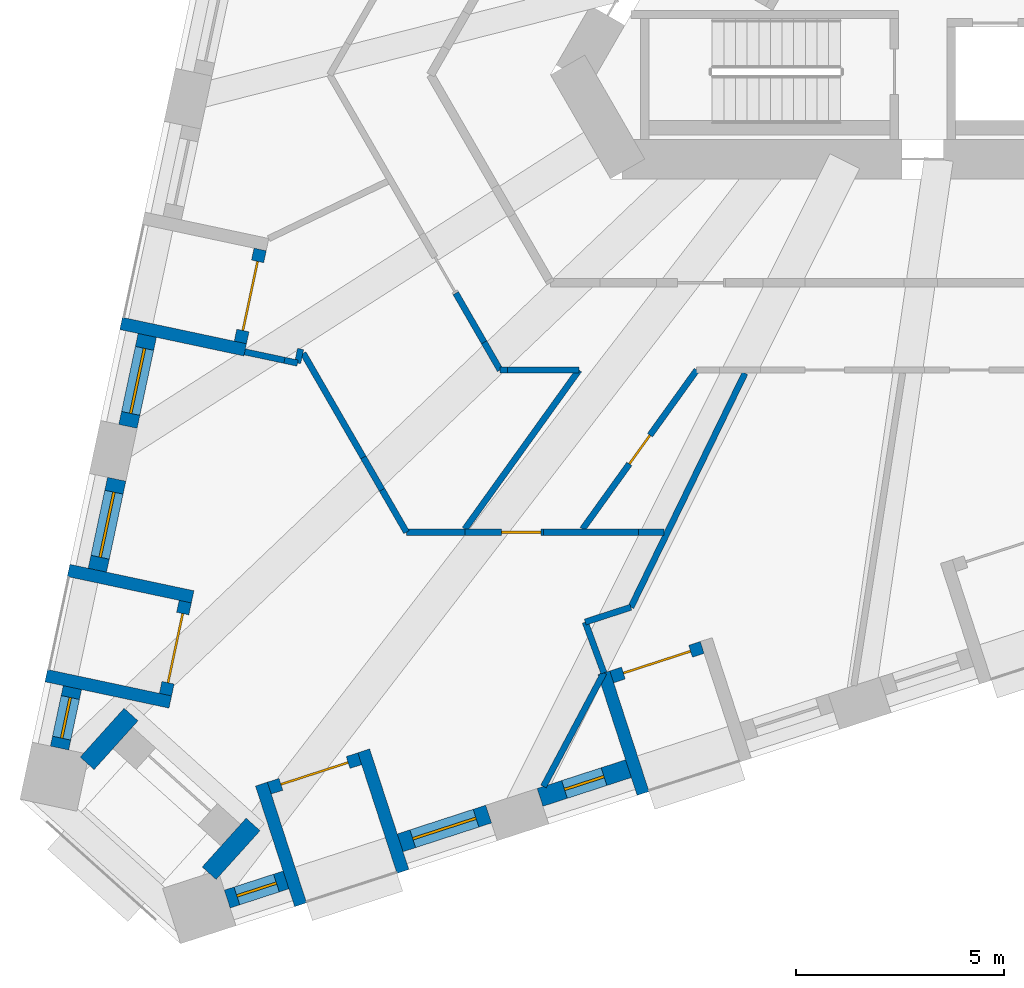
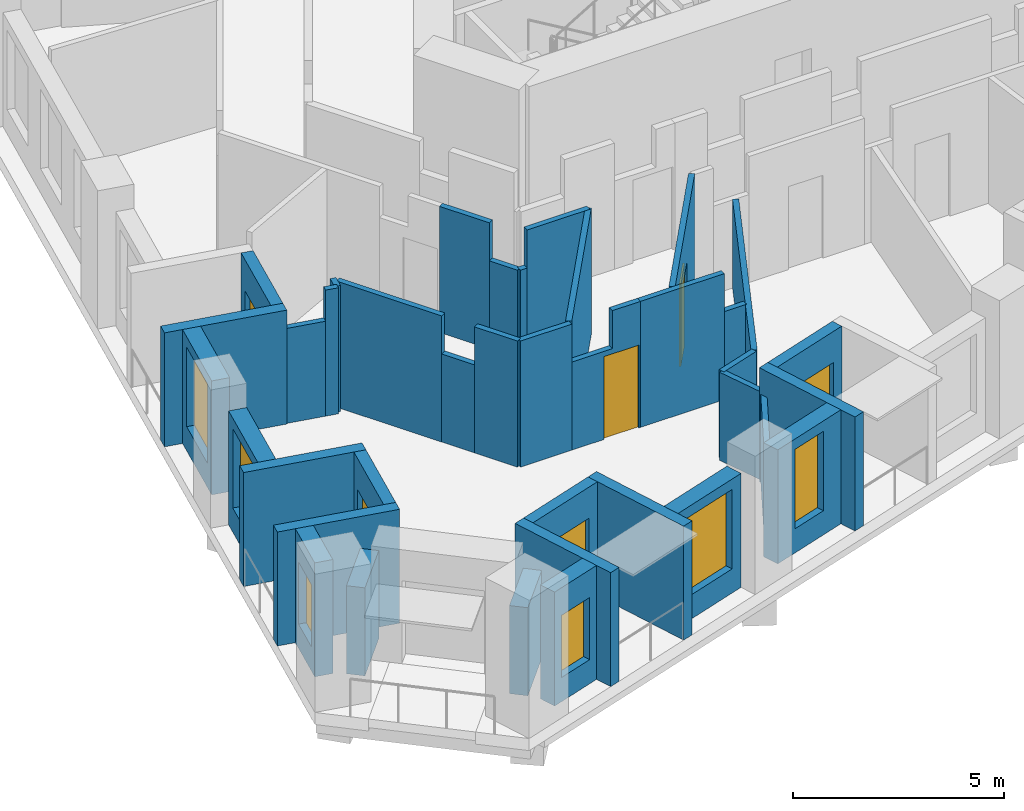
# One storey, part 2 of 13: 38 walls, 6 doors, 6 windows, 12 openings.
"""IFC4 building model written with IfcOpenShell, lengths in metres."""

from ifc_helpers import new_model, si_unit, direction, frame, frame_2d, origin, place, context, subcontext, project, spatial, polyline, rectangle, outline, extrude, material, layer, layer_set, type_object, element, fill, save


model = new_model("IFC4")

# Units and contexts
model_context = context("Model", 3, precision=1e-05, world=origin(), true_north=direction((0.0, 1.0)))
body_context = subcontext(model_context, "Body", "Model", "MODEL_VIEW")
ifc_project = project(units=[si_unit("LENGTHUNIT", "METRE"), si_unit("AREAUNIT", "SQUARE_METRE"), si_unit("VOLUMEUNIT", "CUBIC_METRE"), si_unit("PLANEANGLEUNIT", "RADIAN"), si_unit("MASSUNIT", "GRAM", prefix="KILO")], contexts=[model_context])

# Site, building, storey
site_placement = place(None, origin())
site = spatial("IfcSite", under=ifc_project, at=site_placement, CompositionType="ELEMENT")
building_placement = place(site_placement, origin())
building = spatial("IfcBuilding", under=site, at=building_placement, Name="Tramontana Tower", CompositionType="ELEMENT")
storey_placement = place(building_placement, frame((0.0, 0.0, 116.39990234375)))
storey = spatial("IfcBuildingStorey", under=building, at=storey_placement, Name="L26", CompositionType="ELEMENT", Elevation=116.39990234375)

# Wall, opening, window
ifc_material_1 = material(Name="Precast concrete 60 MPa", Category="concrete")
ifc_layer_1 = layer(ifc_material_1, 0.449951171875)
ifc_layer_set_1 = layer_set([ifc_layer_1], Name="Precast concrete 60 MPa, 450 mm")
wall_type_1 = type_object("IfcWallType", Name="EW1 Stone-faced precast wall 450", PredefinedType="SOLIDWALL", material=ifc_layer_set_1)
wall_1_placement = place(storey_placement, frame((-19.947265625, -10.516357421875, 0.0), z_axis=(0.0, 0.0, 1.0), x_axis=(-0.207941001029, -0.978141370197, 0.0)))
wall_1 = element("IfcWall", 1, at=wall_1_placement, inside=storey, type_object=wall_type_1, Name="External wall L26 face 0 bay 5", PredefinedType="SOLIDWALL", context=body_context, shape_type="SweptSolid", body=[
    extrude(rectangle(XDim=2.236572265625, YDim=0.449951171875, at=frame_2d((1.1181640625, 0.0))), origin(), (0.0, 0.0, 1.0), 3.300048828125),
])
opening_1_placement = place(wall_1_placement, frame((0.318359375, 0.0, 0.699951171875)))
opening_1 = element("IfcOpeningElement", 2, at=opening_1_placement, cuts=wall_1, Name="Opening M1", PredefinedType="OPENING", context=body_context, shape_type="SweptSolid", body=[
    extrude(rectangle(XDim=1.60009765625, YDim=2.300048828125, at=frame_2d((0.800048828125, 1.14990234375))), frame((0.0, 0.23486328125, 0.0), z_axis=(0.0, -1.0, 0.0), x_axis=(1.0, 0.0, 0.0)), (0.0, 0.0, 1.0), 0.469970703125),
])
ifc_material_2 = material(Name="Aluminum frame, double glazing unit", Category="aluminium")
window_type_1 = type_object("IfcWindowType", Name="M1 Window 1.6 x 2.3", PartitioningType="SINGLE_PANEL", PredefinedType="WINDOW", material=ifc_material_2)
window_1_placement = place(opening_1_placement, origin())
window_1 = element("IfcWindow", 3, at=window_1_placement, inside=storey, type_object=window_type_1, Name="Window M1 L26 face 0 module 15", OverallHeight=2.300048828125, OverallWidth=1.60009765625, PartitioningType="SINGLE_PANEL", PredefinedType="WINDOW", context=body_context, shape_type="SweptSolid", body=[
    extrude(rectangle(XDim=1.60009765625, YDim=2.300048828125, at=frame_2d((0.800048828125, 1.14990234375))), frame((0.0, 0.030029296875, 0.0), z_axis=(0.0, -1.0, 0.0), x_axis=(1.0, 0.0, 0.0)), (0.0, 0.0, 1.0), 0.06005859375),
])
fill(opening_1, window_1)

wall_2_placement = place(storey_placement, frame((-20.6826171875, -13.975830078125, 0.0), z_axis=(0.0, 0.0, 1.0), x_axis=(-0.207941001029, -0.978141370197, 0.0)))
wall_2 = element("IfcWall", 4, at=wall_2_placement, inside=storey, type_object=wall_type_1, Name="External wall L26 face 0 bay 6", PredefinedType="SOLIDWALL", context=body_context, shape_type="SweptSolid", body=[
    extrude(rectangle(XDim=2.236572265625, YDim=0.449951171875, at=frame_2d((1.1181640625, 0.0))), origin(), (0.0, 0.0, 1.0), 3.300048828125),
])
opening_2_placement = place(wall_2_placement, frame((0.318359375, 0.0, 0.699951171875)))
opening_2 = element("IfcOpeningElement", 5, at=opening_2_placement, cuts=wall_2, Name="Opening M1", PredefinedType="OPENING", context=body_context, shape_type="SweptSolid", body=[
    extrude(rectangle(XDim=1.60009765625, YDim=2.300048828125, at=frame_2d((0.800048828125, 1.14990234375))), frame((0.0, 0.23486328125, 0.0), z_axis=(0.0, -1.0, 0.0), x_axis=(1.0, 0.0, 0.0)), (0.0, 0.0, 1.0), 0.469970703125),
])
window_2_placement = place(opening_2_placement, origin())
window_2 = element("IfcWindow", 6, at=window_2_placement, inside=storey, type_object=window_type_1, Name="Window M1 L26 face 0 module 16", OverallHeight=2.300048828125, OverallWidth=1.60009765625, PartitioningType="SINGLE_PANEL", PredefinedType="WINDOW", context=body_context, shape_type="SweptSolid", body=[
    extrude(rectangle(XDim=1.60009765625, YDim=2.300048828125, at=frame_2d((0.800048828125, 1.14990234375))), frame((0.0, 0.030029296875, 0.0), z_axis=(0.0, -1.0, 0.0), x_axis=(1.0, 0.0, 0.0)), (0.0, 0.0, 1.0), 0.06005859375),
])
fill(opening_2, window_2)

wall_3_placement = place(storey_placement, frame((-21.747802734375, -18.9873046875, 0.0), z_axis=(0.0, 0.0, 1.0), x_axis=(-0.208037456693, -0.978120859921, 0.0)))
wall_3 = element("IfcWall", 7, at=wall_3_placement, inside=storey, type_object=wall_type_1, Name="External wall L26 face 0 bay 6", PredefinedType="SOLIDWALL", context=body_context, shape_type="SweptSolid", body=[
    extrude(rectangle(XDim=1.48681640625, YDim=0.449951171875, at=frame_2d((0.743408203125, 0.0))), origin(), (0.0, 0.0, 1.0), 3.300048828125),
])
opening_3_placement = place(wall_3_placement, frame((0.243408203125, 0.0, 0.699951171875)))
opening_3 = element("IfcOpeningElement", 8, at=opening_3_placement, cuts=wall_3, Name="Opening N1L", PredefinedType="OPENING", context=body_context, shape_type="SweptSolid", body=[
    extrude(rectangle(XDim=1.0, YDim=1.800048828125, at=frame_2d((0.5, 0.89990234375))), frame((0.0, 0.23486328125, 0.0), z_axis=(0.0, -1.0, 0.0), x_axis=(1.0, 0.0, 0.0)), (0.0, 0.0, 1.0), 0.469970703125),
])
ifc_material_3 = material(Name="Aluminum frame, double glazing unit", Category="aluminium")
window_type_2 = type_object("IfcWindowType", Name="N1L Window 1 x 1.8", PartitioningType="SINGLE_PANEL", PredefinedType="WINDOW", material=ifc_material_3)
window_3_placement = place(opening_3_placement, origin())
window_3 = element("IfcWindow", 9, at=window_3_placement, inside=storey, type_object=window_type_2, Name="Window N1L L26 face 0 module 18", OverallHeight=1.800048828125, OverallWidth=1.0, PartitioningType="SINGLE_PANEL", PredefinedType="WINDOW", context=body_context, shape_type="SweptSolid", body=[
    extrude(rectangle(XDim=1.0, YDim=1.800048828125, at=frame_2d((0.5, 0.89990234375))), frame((0.0, 0.030029296875, 0.0), z_axis=(0.0, -1.0, 0.0), x_axis=(1.0, 0.0, 0.0)), (0.0, 0.0, 1.0), 0.06005859375),
])
fill(opening_3, window_3)

wall_4_placement = place(storey_placement, frame((-18.02392578125, -24.072998046875, 0.0), z_axis=(0.0, 0.0, 1.0), x_axis=(0.951037689269, 0.309074931999, 0.0)))
wall_4 = element("IfcWall", 10, at=wall_4_placement, inside=storey, type_object=wall_type_1, Name="External wall L26 face 1 bay 1", PredefinedType="SOLIDWALL", context=body_context, shape_type="SweptSolid", body=[
    extrude(rectangle(XDim=1.486572265625, YDim=0.449951171875, at=frame_2d((0.7431640625, 0.0))), origin(), (0.0, 0.0, 1.0), 3.300048828125),
])
opening_4_placement = place(wall_4_placement, frame((0.243408203125, 0.0, 0.699951171875)))
opening_4 = element("IfcOpeningElement", 11, at=opening_4_placement, cuts=wall_4, Name="Opening N1L", PredefinedType="OPENING", context=body_context, shape_type="SweptSolid", body=[
    extrude(rectangle(XDim=1.0, YDim=1.800048828125, at=frame_2d((0.5, 0.89990234375))), frame((0.0, 0.23486328125, 0.0), z_axis=(0.0, -1.0, 0.0), x_axis=(1.0, 0.0, 0.0)), (0.0, 0.0, 1.0), 0.469970703125),
])
window_4_placement = place(opening_4_placement, origin())
window_4 = element("IfcWindow", 12, at=window_4_placement, inside=storey, type_object=window_type_2, Name="Window N1L L26 face 1 module 1", OverallHeight=1.800048828125, OverallWidth=1.0, PartitioningType="SINGLE_PANEL", PredefinedType="WINDOW", context=body_context, shape_type="SweptSolid", body=[
    extrude(rectangle(XDim=1.0, YDim=1.800048828125, at=frame_2d((0.5, 0.89990234375))), frame((0.0, 0.030029296875, 0.0), z_axis=(0.0, -1.0, 0.0), x_axis=(1.0, 0.0, 0.0)), (0.0, 0.0, 1.0), 0.06005859375),
])
fill(opening_4, window_4)

wall_5_placement = place(storey_placement, frame((-13.864501953125, -22.721435546875, 0.0), z_axis=(0.0, 0.0, 1.0), x_axis=(0.951057328329, 0.30901449518, 0.0)))
wall_5 = element("IfcWall", 13, at=wall_5_placement, inside=storey, type_object=wall_type_1, Name="External wall L26 face 1 bay 1", PredefinedType="SOLIDWALL", context=body_context, shape_type="SweptSolid", body=[
    extrude(rectangle(XDim=2.236572265625, YDim=0.449951171875, at=frame_2d((1.1181640625, 0.0))), origin(), (0.0, 0.0, 1.0), 3.300048828125),
])
opening_5_placement = place(wall_5_placement, frame((0.318359375, 0.0, 0.699951171875)))
opening_5 = element("IfcOpeningElement", 14, at=opening_5_placement, cuts=wall_5, Name="Opening M1", PredefinedType="OPENING", context=body_context, shape_type="SweptSolid", body=[
    extrude(rectangle(XDim=1.60009765625, YDim=2.300048828125, at=frame_2d((0.800048828125, 1.14990234375))), frame((0.0, 0.23486328125, 0.0), z_axis=(0.0, -1.0, 0.0), x_axis=(1.0, 0.0, 0.0)), (0.0, 0.0, 1.0), 0.469970703125),
])
window_5_placement = place(opening_5_placement, origin())
window_5 = element("IfcWindow", 15, at=window_5_placement, inside=storey, type_object=window_type_1, Name="Window M1 L26 face 1 module 3", OverallHeight=2.300048828125, OverallWidth=1.60009765625, PartitioningType="SINGLE_PANEL", PredefinedType="WINDOW", context=body_context, shape_type="SweptSolid", body=[
    extrude(rectangle(XDim=1.60009765625, YDim=2.300048828125, at=frame_2d((0.800048828125, 1.14990234375))), frame((0.0, 0.030029296875, 0.0), z_axis=(0.0, -1.0, 0.0), x_axis=(1.0, 0.0, 0.0)), (0.0, 0.0, 1.0), 0.06005859375),
])
fill(opening_5, window_5)

wall_6_placement = place(storey_placement, frame((-10.5009765625, -21.62841796875, 0.0), z_axis=(0.0, 0.0, 1.0), x_axis=(0.951067749801, 0.30898241906, 0.0)))
wall_6 = element("IfcWall", 16, at=wall_6_placement, inside=storey, type_object=wall_type_1, Name="External wall L26 face 1 bay 2", PredefinedType="SOLIDWALL", context=body_context, shape_type="SweptSolid", body=[
    extrude(rectangle(XDim=2.23681640625, YDim=0.449951171875, at=frame_2d((1.118408203125, 0.0))), origin(), (0.0, 0.0, 1.0), 3.300048828125),
])
opening_6_placement = place(wall_6_placement, frame((0.618408203125, 0.0, 0.699951171875)))
opening_6 = element("IfcOpeningElement", 17, at=opening_6_placement, cuts=wall_6, Name="Opening N1", PredefinedType="OPENING", context=body_context, shape_type="SweptSolid", body=[
    extrude(rectangle(XDim=1.0, YDim=2.300048828125, at=frame_2d((0.5, 1.14990234375))), frame((0.0, 0.23486328125, 0.0), z_axis=(0.0, -1.0, 0.0), x_axis=(1.0, 0.0, 0.0)), (0.0, 0.0, 1.0), 0.469970703125),
])
ifc_material_4 = material(Name="Aluminum frame, double glazing unit", Category="aluminium")
window_type_3 = type_object("IfcWindowType", Name="N1 Window 1 x 2.3", PartitioningType="SINGLE_PANEL", PredefinedType="WINDOW", material=ifc_material_4)
window_6_placement = place(opening_6_placement, origin())
window_6 = element("IfcWindow", 18, at=window_6_placement, inside=storey, type_object=window_type_3, Name="Window N1 L26 face 1 module 4", OverallHeight=2.300048828125, OverallWidth=1.0, PartitioningType="SINGLE_PANEL", PredefinedType="WINDOW", context=body_context, shape_type="SweptSolid", body=[
    extrude(rectangle(XDim=1.0, YDim=2.300048828125, at=frame_2d((0.5, 1.14990234375))), frame((0.0, 0.030029296875, 0.0), z_axis=(0.0, -1.0, 0.0), x_axis=(1.0, 0.0, 0.0)), (0.0, 0.0, 1.0), 0.06005859375),
])
fill(opening_6, window_6)

# Walls
for number, where, z_axis, x_axis, name in (
    (19, (-18.45849609375, -23.451904296875, 0.0), (0.0, 0.0, 1.0), (0.669109923521, 0.743163447867, 0.0), "Corner loggia side wall L26 K21l"),
    (20, (-21.393798828125, -20.808837890625, 0.0), (0.0, 0.0, 1.0), (0.669109923521, 0.743163447867, 0.0), "Corner loggia side wall L26 K21r"),
):
    element("IfcWall", number, at=place(storey_placement, frame(where, z_axis=z_axis, x_axis=x_axis)), inside=storey, type_object=wall_type_1, Name=name, PredefinedType="SOLIDWALL", context=body_context, shape_type="SweptSolid", body=[
        extrude(rectangle(XDim=1.5791015625, YDim=0.449951171875, at=frame_2d((0.78955078125, 0.0))), origin(), (0.0, 0.0, 1.0), 2.550048828125),
    ])

# Wall, opening, door
ifc_material_5 = material(Name="Precast concrete 60 MPa", Category="concrete")
ifc_layer_2 = layer(ifc_material_5, 0.300048828125)
ifc_layer_set_2 = layer_set([ifc_layer_2], Name="LW1 Stone-faced loggia wall 300")
wall_type_2 = type_object("IfcWallType", Name="LW1 Stone-faced loggia wall 300", PredefinedType="SOLIDWALL", material=ifc_layer_set_2)
wall_7_placement = place(storey_placement, frame((-17.233154296875, -8.44873046875, 0.0), z_axis=(0.0, 0.0, 1.0), x_axis=(-0.207866417042, -0.978157222877, 0.0)))
wall_7 = element("IfcWall", 21, at=wall_7_placement, inside=storey, type_object=wall_type_2, Name="Loggia wall L26 G2S0.13", PredefinedType="SOLIDWALL", context=body_context, shape_type="SweptSolid", body=[
    extrude(rectangle(XDim=2.286865234375, YDim=0.300048828125, at=frame_2d((1.1435546875, 0.0))), origin(), (0.0, 0.0, 1.0), 3.300048828125),
])
opening_7_placement = place(wall_7_placement, frame((0.29345703125, 0.0, 0.0)))
opening_7 = element("IfcOpeningElement", 22, at=opening_7_placement, cuts=wall_7, Name="Opening BD-2S0-13", PredefinedType="OPENING", context=body_context, shape_type="SweptSolid", body=[
    extrude(rectangle(XDim=1.699951171875, YDim=2.39990234375, at=frame_2d((0.85009765625, 1.199951171875))), frame((0.0, 0.159912109375, 0.0), z_axis=(0.0, -1.0, 0.0), x_axis=(1.0, 0.0, 0.0)), (0.0, 0.0, 1.0), 0.320068359375),
])
ifc_material_6 = material(Name="Aluminum frame, double glazing unit", Category="aluminium")
door_type_1 = type_object("IfcDoorType", Name="BD1 Sliding door 1.7 x 2.4", OperationType="SLIDING_TO_LEFT", PredefinedType="DOOR", material=ifc_material_6)
door_1_placement = place(opening_7_placement, origin())
door_1 = element("IfcDoor", 23, at=door_1_placement, inside=storey, type_object=door_type_1, Name="Loggia door L26 G2S0.13", OperationType="SLIDING_TO_LEFT", OverallHeight=2.39990234375, OverallWidth=1.699951171875, PredefinedType="DOOR", context=body_context, shape_type="SweptSolid", body=[
    extrude(rectangle(XDim=1.699951171875, YDim=2.39990234375, at=frame_2d((0.85009765625, 1.199951171875))), frame((0.0, 0.02490234375, 0.0), z_axis=(0.0, -1.0, 0.0), x_axis=(1.0, 0.0, 0.0)), (0.0, 0.0, 1.0), 0.050048828125),
])
fill(opening_7, door_1)

# Wall
wall_8_placement = place(storey_placement, frame((-20.576416015625, -10.229248046875, 0.0), z_axis=(0.0, 0.0, 1.0), x_axis=(0.978154782045, -0.207877902534, 0.0)))
element("IfcWall", 24, at=wall_8_placement, inside=storey, type_object=wall_type_2, Name="Loggia return L26 G2S0.13b", PredefinedType="SOLIDWALL", context=body_context, shape_type="SweptSolid", body=[
    extrude(rectangle(XDim=3.050048828125, YDim=0.300048828125, at=frame_2d((1.52490234375, 0.0))), origin(), (0.0, 0.0, 1.0), 3.300048828125),
])

# Wall, opening, door
wall_9_placement = place(storey_placement, frame((-19.03369140625, -16.919677734375, 0.0), z_axis=(0.0, 0.0, 1.0), x_axis=(-0.207968563016, -0.978135510447, 0.0)))
wall_9 = element("IfcWall", 25, at=wall_9_placement, inside=storey, type_object=wall_type_2, Name="Loggia wall L26 G2S0.16", PredefinedType="SOLIDWALL", context=body_context, shape_type="SweptSolid", body=[
    extrude(rectangle(XDim=2.286865234375, YDim=0.300048828125, at=frame_2d((1.1435546875, 0.0))), origin(), (0.0, 0.0, 1.0), 3.300048828125),
])
opening_8_placement = place(wall_9_placement, frame((0.29345703125, 0.0, 0.0)))
opening_8 = element("IfcOpeningElement", 26, at=opening_8_placement, cuts=wall_9, Name="Opening BD-2S0-16", PredefinedType="OPENING", context=body_context, shape_type="SweptSolid", body=[
    extrude(rectangle(XDim=1.699951171875, YDim=2.39990234375, at=frame_2d((0.85009765625, 1.199951171875))), frame((0.0, 0.159912109375, 0.0), z_axis=(0.0, -1.0, 0.0), x_axis=(1.0, 0.0, 0.0)), (0.0, 0.0, 1.0), 0.320068359375),
])
door_2_placement = place(opening_8_placement, origin())
door_2 = element("IfcDoor", 27, at=door_2_placement, inside=storey, type_object=door_type_1, Name="Loggia door L26 G2S0.16", OperationType="SLIDING_TO_LEFT", OverallHeight=2.39990234375, OverallWidth=1.699951171875, PredefinedType="DOOR", context=body_context, shape_type="SweptSolid", body=[
    extrude(rectangle(XDim=1.699951171875, YDim=2.39990234375, at=frame_2d((0.85009765625, 1.199951171875))), frame((0.0, 0.02490234375, 0.0), z_axis=(0.0, -1.0, 0.0), x_axis=(1.0, 0.0, 0.0)), (0.0, 0.0, 1.0), 0.050048828125),
])
fill(opening_8, door_2)

# Walls
for number, where, z_axis, x_axis, name in (
    (28, (-21.839111328125, -16.169921875, 0.0), (0.0, 0.0, 1.0), (0.978138503145, -0.207954487003, 0.0), "Loggia return L26 G2S0.16a"),
    (29, (-22.376953125, -18.7001953125, 0.0), (0.0, 0.0, 1.0), (0.978154782045, -0.207877902534, 0.0), "Loggia return L26 G2S0.16b"),
):
    element("IfcWall", number, at=place(storey_placement, frame(where, z_axis=z_axis, x_axis=x_axis)), inside=storey, type_object=wall_type_2, Name=name, PredefinedType="SOLIDWALL", context=body_context, shape_type="SweptSolid", body=[
        extrude(rectangle(XDim=3.050048828125, YDim=0.300048828125, at=frame_2d((1.52490234375, 0.0))), origin(), (0.0, 0.0, 1.0), 3.300048828125),
    ])

# Wall, opening, door
wall_10_placement = place(storey_placement, frame((-17.01220703125, -21.40478515625, 0.0), z_axis=(0.0, 0.0, 1.0), x_axis=(0.95103720697, 0.309076416051, 0.0)))
wall_10 = element("IfcWall", 30, at=wall_10_placement, inside=storey, type_object=wall_type_2, Name="Loggia wall L26 G2S1.1", PredefinedType="SOLIDWALL", context=body_context, shape_type="SweptSolid", body=[
    extrude(rectangle(XDim=2.286865234375, YDim=0.300048828125, at=frame_2d((1.1435546875, 0.0))), origin(), (0.0, 0.0, 1.0), 3.300048828125),
])
opening_9_placement = place(wall_10_placement, frame((0.29345703125, 0.0, 0.0)))
opening_9 = element("IfcOpeningElement", 31, at=opening_9_placement, cuts=wall_10, Name="Opening BD-2S1-01", PredefinedType="OPENING", context=body_context, shape_type="SweptSolid", body=[
    extrude(rectangle(XDim=1.699951171875, YDim=2.39990234375, at=frame_2d((0.85009765625, 1.199951171875))), frame((0.0, 0.159912109375, 0.0), z_axis=(0.0, -1.0, 0.0), x_axis=(1.0, 0.0, 0.0)), (0.0, 0.0, 1.0), 0.320068359375),
])
door_3_placement = place(opening_9_placement, origin())
door_3 = element("IfcDoor", 32, at=door_3_placement, inside=storey, type_object=door_type_1, Name="Loggia door L26 G2S1.1", OperationType="SLIDING_TO_LEFT", OverallHeight=2.39990234375, OverallWidth=1.699951171875, PredefinedType="DOOR", context=body_context, shape_type="SweptSolid", body=[
    extrude(rectangle(XDim=1.699951171875, YDim=2.39990234375, at=frame_2d((0.85009765625, 1.199951171875))), frame((0.0, 0.02490234375, 0.0), z_axis=(0.0, -1.0, 0.0), x_axis=(1.0, 0.0, 0.0)), (0.0, 0.0, 1.0), 0.050048828125),
])
fill(opening_9, door_3)

# Walls
for number, where, z_axis, x_axis, name in (
    (33, (-16.2587890625, -24.209228515625, 0.0), (0.0, 0.0, 1.0), (-0.308966615996, 0.951072883748, 0.0), "Loggia return L26 G2S1.1a"),
    (34, (-13.798583984375, -23.40966796875, 0.0), (0.0, 0.0, 1.0), (-0.309062542235, 0.951041715693, 0.0), "Loggia return L26 G2S1.1b"),
):
    element("IfcWall", number, at=place(storey_placement, frame(where, z_axis=z_axis, x_axis=x_axis)), inside=storey, type_object=wall_type_2, Name=name, PredefinedType="SOLIDWALL", context=body_context, shape_type="SweptSolid", body=[
        extrude(rectangle(XDim=3.050048828125, YDim=0.300048828125, at=frame_2d((1.52490234375, 0.0))), origin(), (0.0, 0.0, 1.0), 3.300048828125),
    ])

# Wall, opening, door
wall_11_placement = place(storey_placement, frame((-8.77587890625, -18.728515625, 0.0), z_axis=(0.0, 0.0, 1.0), x_axis=(0.951068585107, 0.308979847923, 0.0)))
wall_11 = element("IfcWall", 35, at=wall_11_placement, inside=storey, type_object=wall_type_2, Name="Loggia wall L26 G2S1.4", PredefinedType="SOLIDWALL", context=body_context, shape_type="SweptSolid", body=[
    extrude(rectangle(XDim=2.28662109375, YDim=0.300048828125, at=frame_2d((1.143310546875, 0.0))), origin(), (0.0, 0.0, 1.0), 3.300048828125),
])
opening_10_placement = place(wall_11_placement, frame((0.29345703125, 0.0, 0.0)))
opening_10 = element("IfcOpeningElement", 36, at=opening_10_placement, cuts=wall_11, Name="Opening BD-2S1-04", PredefinedType="OPENING", context=body_context, shape_type="SweptSolid", body=[
    extrude(rectangle(XDim=1.699951171875, YDim=2.39990234375, at=frame_2d((0.85009765625, 1.199951171875))), frame((0.0, 0.159912109375, 0.0), z_axis=(0.0, -1.0, 0.0), x_axis=(1.0, 0.0, 0.0)), (0.0, 0.0, 1.0), 0.320068359375),
])
door_4_placement = place(opening_10_placement, origin())
door_4 = element("IfcDoor", 37, at=door_4_placement, inside=storey, type_object=door_type_1, Name="Loggia door L26 G2S1.4", OperationType="SLIDING_TO_LEFT", OverallHeight=2.39990234375, OverallWidth=1.699951171875, PredefinedType="DOOR", context=body_context, shape_type="SweptSolid", body=[
    extrude(rectangle(XDim=1.699951171875, YDim=2.39990234375, at=frame_2d((0.85009765625, 1.199951171875))), frame((0.0, 0.02490234375, 0.0), z_axis=(0.0, -1.0, 0.0), x_axis=(1.0, 0.0, 0.0)), (0.0, 0.0, 1.0), 0.050048828125),
])
fill(opening_10, door_4)

# Walls
wall_12_placement = place(storey_placement, frame((-8.0224609375, -21.532958984375, 0.0), z_axis=(0.0, 0.0, 1.0), x_axis=(-0.308990138358, 0.951065241925, 0.0)))
element("IfcWall", 38, at=wall_12_placement, inside=storey, type_object=wall_type_2, Name="Loggia return L26 G2S1.4a", PredefinedType="SOLIDWALL", context=body_context, shape_type="SweptSolid", body=[
    extrude(rectangle(XDim=3.0498046875, YDim=0.300048828125, at=frame_2d((1.52490234375, 0.0))), origin(), (0.0, 0.0, 1.0), 3.300048828125),
])
ifc_material_7 = material(Name="Gypsum board partition")
ifc_layer_3 = layer(ifc_material_7, 0.14990234375)
ifc_layer_set_3 = layer_set([ifc_layer_3], Name="PARTITION 150")
wall_type_3 = type_object("IfcWallType", Name="PARTITION 150", PredefinedType="PARTITIONING", material=ifc_layer_set_3)
wall_13_placement = place(storey_placement, frame((-16.33203125, -11.1826171875, 0.0), z_axis=(0.0, 0.0, 1.0), x_axis=(-0.978023765632, 0.20849343841, 0.0)))
element("IfcWall", 39, at=wall_13_placement, inside=storey, type_object=wall_type_3, Name="Wall v22-pw02-0", PredefinedType="PARTITIONING", context=body_context, shape_type="SweptSolid", body=[
    extrude(rectangle(XDim=0.322021484375, YDim=0.14990234375, at=frame_2d((0.1611328125, 0.0))), origin(), (0.0, 0.0, 1.0), 3.650146484375),
])
wall_14_placement = place(storey_placement, frame((-16.64697265625, -11.115478515625, 0.0), z_axis=(0.0, 0.0, 1.0), x_axis=(-0.978188029216, 0.207721398751, 0.0)))
element("IfcWall", 40, at=wall_14_placement, inside=storey, type_object=wall_type_3, Name="Wall v22-pw02-1", PredefinedType="PARTITIONING", context=body_context, shape_type="SweptSolid", body=[
    extrude(rectangle(XDim=0.977783203125, YDim=0.14990234375, at=frame_2d((0.48876953125, 0.0))), origin(), (0.0, 0.0, 1.0), 2.75),
])
wall_15_placement = place(storey_placement, frame((-16.260009765625, -10.843994140625, 0.0), z_axis=(0.0, 0.0, 1.0), x_axis=(-0.207504208355, -0.978234125102, 0.0)))
element("IfcWall", 41, at=wall_15_placement, inside=storey, type_object=wall_type_3, Name="Wall v22-pw03", PredefinedType="PARTITIONING", context=body_context, shape_type="SweptSolid", body=[
    extrude(rectangle(XDim=0.345947265625, YDim=0.14990234375, at=frame_2d((0.1728515625, 0.0))), origin(), (0.0, 0.0, 1.0), 3.650146484375),
])
wall_16_placement = place(storey_placement, frame((-13.712158203125, -15.25, 0.0), z_axis=(0.0, 0.0, 1.0), x_axis=(-0.499907924584, 0.866078557025, 0.0)))
element("IfcWall", 42, at=wall_16_placement, inside=storey, type_object=wall_type_3, Name="Wall v22-pw06-0", PredefinedType="PARTITIONING", context=body_context, shape_type="SweptSolid", body=[
    extrude(rectangle(XDim=1.177490234375, YDim=0.14990234375, at=frame_2d((0.5888671875, 0.0))), origin(), (0.0, 0.0, 1.0), 3.650146484375),
])
wall_17_placement = place(storey_placement, frame((-14.30078125, -14.230224609375, 0.0), z_axis=(0.0, 0.0, 1.0), x_axis=(-0.499988457423, 0.866032067792, 0.0)))
element("IfcWall", 43, at=wall_17_placement, inside=storey, type_object=wall_type_3, Name="Wall v22-pw06-1", PredefinedType="PARTITIONING", context=body_context, shape_type="SweptSolid", body=[
    extrude(rectangle(XDim=0.900390625, YDim=0.14990234375, at=frame_2d((0.4501953125, 0.0))), origin(), (0.0, 0.0, 1.0), 2.550048828125),
])
wall_18_placement = place(storey_placement, frame((-14.7509765625, -13.450439453125, 0.0), z_axis=(0.0, 0.0, 1.0), x_axis=(-0.500027093073, 0.866009761026, 0.0)))
element("IfcWall", 44, at=wall_18_placement, inside=storey, type_object=wall_type_3, Name="Wall v22-pw06-2", PredefinedType="PARTITIONING", context=body_context, shape_type="SweptSolid", body=[
    extrude(rectangle(XDim=2.890380859375, YDim=0.14990234375, at=frame_2d((1.4453125, 0.0))), origin(), (0.0, 0.0, 1.0), 3.650146484375),
])
wall_19_placement = place(storey_placement, frame((-12.30908203125, -15.175048828125, 0.0), z_axis=(0.0, 0.0, 1.0), x_axis=(0.583169058274, 0.812350816749, 0.0)))
element("IfcWall", 45, at=wall_19_placement, inside=storey, type_object=wall_type_3, Name="Wall v22-pw07", PredefinedType="PARTITIONING", context=body_context, shape_type="SweptSolid", body=[
    extrude(rectangle(XDim=4.70849609375, YDim=0.14990234375, at=frame_2d((2.354248046875, 0.0))), origin(), (0.0, 0.0, 1.0), 3.650146484375),
])
wall_20_placement = place(storey_placement, frame((-11.46044921875, -11.35009765625, 0.0), z_axis=(0.0, 0.0, 1.0), x_axis=(-0.49974986996, 0.866169768276, 0.0)))
element("IfcWall", 46, at=wall_20_placement, inside=storey, type_object=wall_type_3, Name="Wall v22-pw09-0", PredefinedType="PARTITIONING", context=body_context, shape_type="SweptSolid", body=[
    extrude(rectangle(XDim=0.77099609375, YDim=0.14990234375, at=frame_2d((0.385498046875, 0.0))), origin(), (0.0, 0.0, 1.0), 2.550048828125),
])
wall_21_placement = place(storey_placement, frame((-11.845703125, -10.682373046875, 0.0), z_axis=(0.0, 0.0, 1.0), x_axis=(-0.500027119254, 0.86600974591, 0.0)))
element("IfcWall", 47, at=wall_21_placement, inside=storey, type_object=wall_type_3, Name="Wall v22-pw09-1", PredefinedType="PARTITIONING", context=body_context, shape_type="SweptSolid", body=[
    extrude(rectangle(XDim=1.3642578125, YDim=0.14990234375, at=frame_2d((0.68212890625, 0.0))), origin(), (0.0, 0.0, 1.0), 3.650146484375),
])
wall_22_placement = place(storey_placement, frame((-9.563232421875, -11.35009765625, 0.0), z_axis=(0.0, 0.0, 1.0), x_axis=(-1.0, 0.0, 0.0)))
element("IfcWall", 48, at=wall_22_placement, inside=storey, type_object=wall_type_3, Name="Wall v22-pw12-0", PredefinedType="PARTITIONING", context=body_context, shape_type="SweptSolid", body=[
    extrude(rectangle(XDim=1.71484375, YDim=0.14990234375, at=frame_2d((0.857421875, 0.0))), origin(), (0.0, 0.0, 1.0), 3.650146484375),
])
wall_23_placement = place(storey_placement, frame((-11.278076171875, -11.35009765625, 0.0), z_axis=(0.0, 0.0, 1.0), x_axis=(-1.0, 0.0, 0.0)))
element("IfcWall", 49, at=wall_23_placement, inside=storey, type_object=wall_type_3, Name="Wall v22-pw12-1", PredefinedType="PARTITIONING", context=body_context, shape_type="SweptSolid", body=[
    extrude(rectangle(XDim=0.182373046875, YDim=0.14990234375, at=frame_2d((0.09130859375, 0.0))), origin(), (0.0, 0.0, 1.0), 2.550048828125),
])
wall_24_placement = place(storey_placement, frame((-9.413818359375, -17.4130859375, 0.0), z_axis=(0.0, 0.0, 1.0), x_axis=(0.345557322038, -0.938397643425, 0.0)))
element("IfcWall", 50, at=wall_24_placement, inside=storey, type_object=wall_type_3, Name="Wall v22-pw14-0", PredefinedType="PARTITIONING", context=body_context, shape_type="SweptSolid", body=[
    extrude(rectangle(XDim=1.29931640625, YDim=0.14990234375, at=frame_2d((0.649658203125, 0.0))), origin(), (0.0, 0.0, 1.0), 2.550048828125),
])
wall_25_placement = place(storey_placement, frame((-8.96484375, -18.63232421875, 0.0), z_axis=(0.0, 0.0, 1.0), x_axis=(-0.469355189183, -0.883009459965, 0.0)))
element("IfcWall", 51, at=wall_25_placement, inside=storey, type_object=wall_type_3, Name="Wall v22-pw15-0", PredefinedType="PARTITIONING", context=body_context, shape_type="SweptSolid", body=[
    extrude(rectangle(XDim=3.094482421875, YDim=0.14990234375, at=frame_2d((1.54736328125, 0.0))), origin(), (0.0, 0.0, 1.0), 2.550048828125),
])
wall_26_placement = place(storey_placement, frame((-8.3154296875, -17.05419921875, 0.0), z_axis=(0.0, 0.0, 1.0), x_axis=(-0.951068277926, -0.308980793452, 0.0)))
element("IfcWall", 52, at=wall_26_placement, inside=storey, type_object=wall_type_3, Name="Wall v22-pw16-0", PredefinedType="PARTITIONING", context=body_context, shape_type="SweptSolid", body=[
    extrude(rectangle(XDim=1.153564453125, YDim=0.14990234375, at=frame_2d((0.57666015625, 0.0))), origin(), (0.0, 0.0, 1.0), 2.550048828125),
])
wall_27_placement = place(storey_placement, frame((-7.519287109375, -15.25, 0.0), z_axis=(0.0, 0.0, 1.0), x_axis=(-1.0, 0.0, 0.0)))
element("IfcWall", 53, at=wall_27_placement, inside=storey, type_object=wall_type_3, Name="Wall v22-pw17-0", PredefinedType="PARTITIONING", context=body_context, shape_type="SweptSolid", body=[
    extrude(rectangle(XDim=0.6142578125, YDim=0.14990234375, at=frame_2d((0.30712890625, 0.0))), origin(), (0.0, 0.0, 1.0), 2.550048828125),
])
wall_28_placement = place(storey_placement, frame((-8.133544921875, -15.25, 0.0), z_axis=(0.0, 0.0, 1.0), x_axis=(-1.0, 0.0, 0.0)))
element("IfcWall", 54, at=wall_28_placement, inside=storey, type_object=wall_type_3, Name="Wall v22-pw17-1", PredefinedType="PARTITIONING", context=body_context, shape_type="SweptSolid", body=[
    extrude(rectangle(XDim=2.288818359375, YDim=0.14990234375, at=frame_2d((1.14453125, 0.0))), origin(), (0.0, 0.0, 1.0), 3.650146484375),
])

# Wall, opening, door
wall_29_placement = place(storey_placement, frame((-10.42236328125, -15.25, 0.0), z_axis=(0.0, 0.0, 1.0), x_axis=(-1.0, 0.0, 0.0)))
wall_29 = element("IfcWall", 55, at=wall_29_placement, inside=storey, type_object=wall_type_3, Name="Wall v22-pw17-2", PredefinedType="PARTITIONING", context=body_context, shape_type="SweptSolid", body=[
    extrude(outline(polyline([(0.0, 0.0), (1.880615234375, 0.0), (1.880859375, 2.550048828125), (0.776123046875, 2.550048828125), (0.776123046875, 3.650146484375), (0.0, 3.650146484375), (0.0, 0.0)])), frame((0.0, 0.074951171875, 0.0), z_axis=(0.0, -1.0, 0.0), x_axis=(1.0, 0.0, 0.0)), (0.0, 0.0, 1.0), 0.14990234375),
])
opening_11_placement = place(wall_29_placement, frame((0.050048828125, 0.0, 0.0)))
opening_11 = element("IfcOpeningElement", 56, at=opening_11_placement, cuts=wall_29, Name="Opening B2C-08", PredefinedType="OPENING", context=body_context, shape_type="SweptSolid", body=[
    extrude(rectangle(XDim=0.949951171875, YDim=2.39990234375, at=frame_2d((0.47509765625, 1.199951171875))), frame((0.0, 0.0849609375, 0.0), z_axis=(0.0, -1.0, 0.0), x_axis=(1.0, 0.0, 0.0)), (0.0, 0.0, 1.0), 0.169921875),
])
ifc_material_8 = material(Name="Painted timber", Category="wood")
door_type_2 = type_object("IfcDoorType", Name="DOOR ROOM 950", OperationType="SINGLE_SWING_LEFT", PredefinedType="DOOR", material=ifc_material_8)
door_5_placement = place(opening_11_placement, origin())
door_5 = element("IfcDoor", 57, at=door_5_placement, inside=storey, type_object=door_type_2, Name="Door B2C-08", OperationType="SINGLE_SWING_RIGHT", OverallHeight=2.39990234375, OverallWidth=0.949951171875, PredefinedType="DOOR", context=body_context, shape_type="SweptSolid", body=[
    extrude(rectangle(XDim=0.949951171875, YDim=2.39990234375, at=frame_2d((0.47509765625, 1.199951171875))), frame((0.0, 0.02490234375, 0.0), z_axis=(0.0, -1.0, 0.0), x_axis=(1.0, 0.0, 0.0)), (0.0, 0.0, 1.0), 0.050048828125),
])
fill(opening_11, door_5)

# Wall
wall_30_placement = place(storey_placement, frame((-12.302978515625, -15.25, 0.0), z_axis=(0.0, 0.0, 1.0), x_axis=(-1.0, 0.0, 0.0)))
element("IfcWall", 58, at=wall_30_placement, inside=storey, type_object=wall_type_3, Name="Wall v22-pw17-3", PredefinedType="PARTITIONING", context=body_context, shape_type="SweptSolid", body=[
    extrude(rectangle(XDim=1.408935546875, YDim=0.14990234375, at=frame_2d((0.70458984375, 0.0))), origin(), (0.0, 0.0, 1.0), 3.650146484375),
])

# Wall, opening, door
wall_31_placement = place(storey_placement, frame((-6.73193359375, -11.35009765625, 0.0), z_axis=(0.0, 0.0, 1.0), x_axis=(-0.583169058274, -0.812350816749, 0.0)))
wall_31 = element("IfcWall", 59, at=wall_31_placement, inside=storey, type_object=wall_type_3, Name="Wall v22-pw20", PredefinedType="PARTITIONING", context=body_context, shape_type="SweptSolid", body=[
    extrude(rectangle(XDim=4.70849609375, YDim=0.14990234375, at=frame_2d((2.354248046875, 0.0))), origin(), (0.0, 0.0, 1.0), 3.650146484375),
])
opening_12_placement = place(wall_31_placement, frame((1.92919921875, 0.0, 0.0)))
opening_12 = element("IfcOpeningElement", 60, at=opening_12_placement, cuts=wall_31, Name="Opening B2C-07", PredefinedType="OPENING", context=body_context, shape_type="SweptSolid", body=[
    extrude(rectangle(XDim=0.85009765625, YDim=2.39990234375, at=frame_2d((0.425048828125, 1.199951171875))), frame((0.0, 0.0849609375, 0.0), z_axis=(0.0, -1.0, 0.0), x_axis=(1.0, 0.0, 0.0)), (0.0, 0.0, 1.0), 0.169921875),
])
ifc_material_9 = material(Name="Painted timber", Category="wood")
door_type_3 = type_object("IfcDoorType", Name="DOOR BATH 850", OperationType="SINGLE_SWING_LEFT", PredefinedType="DOOR", material=ifc_material_9)
door_6_placement = place(opening_12_placement, origin())
door_6 = element("IfcDoor", 61, at=door_6_placement, inside=storey, type_object=door_type_3, Name="Door B2C-07", OperationType="SINGLE_SWING_LEFT", OverallHeight=2.39990234375, OverallWidth=0.85009765625, PredefinedType="DOOR", context=body_context, shape_type="SweptSolid", body=[
    extrude(rectangle(XDim=0.85009765625, YDim=2.39990234375, at=frame_2d((0.425048828125, 1.199951171875))), frame((0.0, 0.02490234375, 0.0), z_axis=(0.0, -1.0, 0.0), x_axis=(1.0, 0.0, 0.0)), (0.0, 0.0, 1.0), 0.050048828125),
])
fill(opening_12, door_6)

# Wall
wall_32_placement = place(storey_placement, frame((-5.57080078125, -11.425048828125, 0.0), z_axis=(0.0, 0.0, 1.0), x_axis=(-0.438271544149, -0.898842618921, 0.0)))
element("IfcWall", 62, at=wall_32_placement, inside=storey, type_object=wall_type_3, Name="Wall v22-pw23-0", PredefinedType="PARTITIONING", context=body_context, shape_type="SweptSolid", body=[
    extrude(rectangle(XDim=6.262451171875, YDim=0.14990234375, at=frame_2d((3.13134765625, 0.0))), origin(), (0.0, 0.0, 1.0), 2.550048828125),
])

save(model, "model.ifc")
